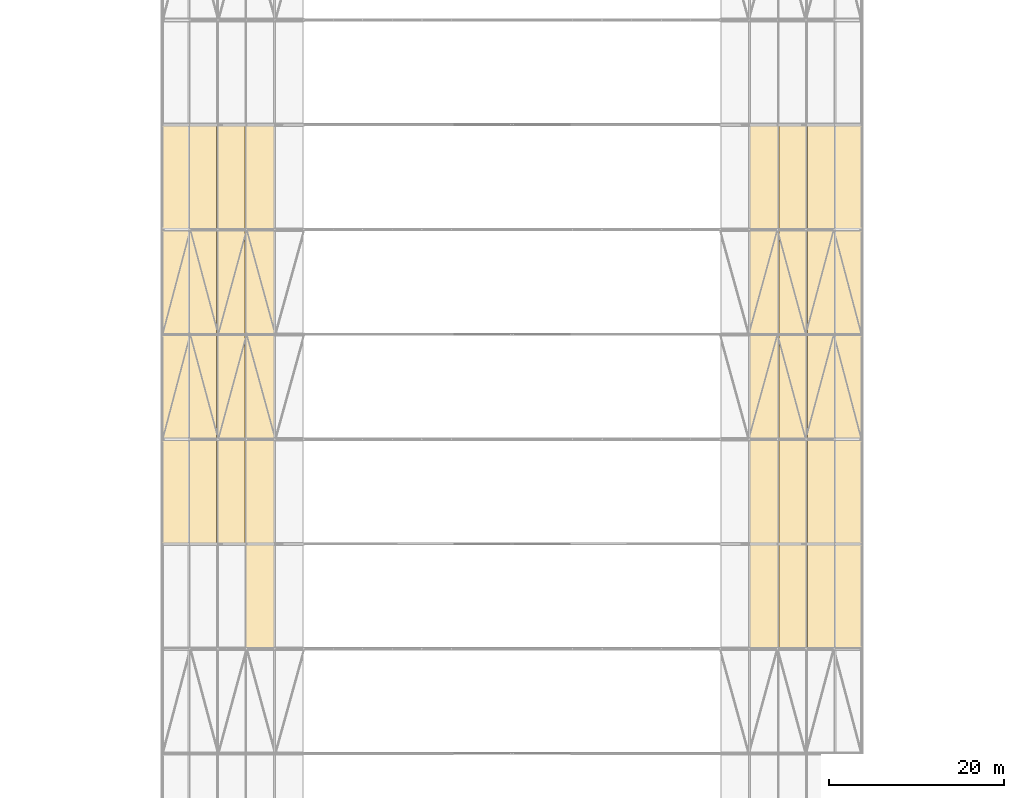
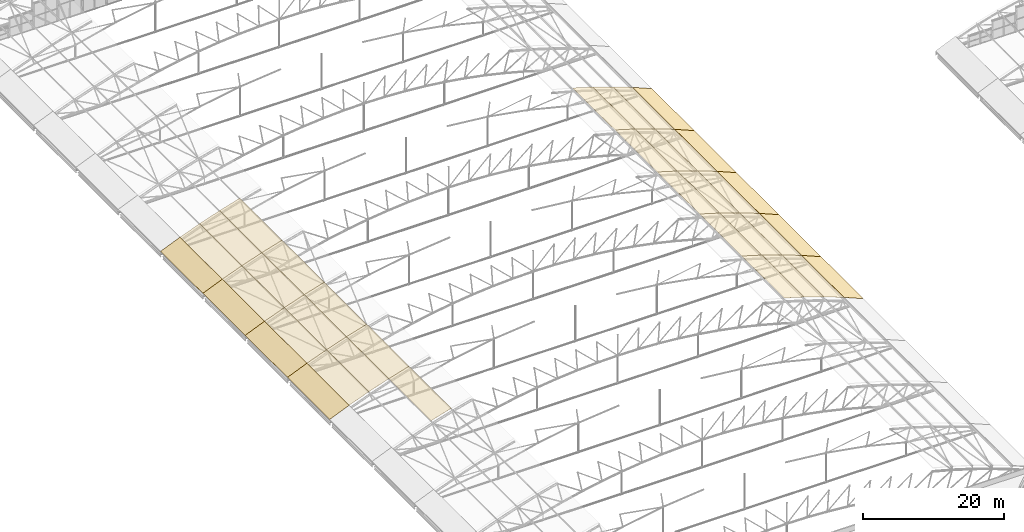
# One storey, part 316 of 321: 37 coverings.
"""IFC4 building model written with IfcOpenShell, lengths in metres."""

from ifc_helpers import new_model, si_unit, direction, frame, origin, place, context, subcontext, project, spatial, polyline, outline, extrude, material, layer, layer_set, type_object, element, save


model = new_model("IFC4")

# Units and contexts
model_context = context("Model", 3, precision=1e-05, world=origin(), true_north=direction((0.0, 1.0)))
body_context = subcontext(model_context, "Body", "Model", "MODEL_VIEW")
ifc_project = project(units=[si_unit("LENGTHUNIT", "METRE"), si_unit("AREAUNIT", "SQUARE_METRE"), si_unit("VOLUMEUNIT", "CUBIC_METRE"), si_unit("PLANEANGLEUNIT", "RADIAN"), si_unit("MASSUNIT", "GRAM", prefix="KILO")], contexts=[model_context])

# Site, building, storey
site_placement = place(None, origin())
site = spatial("IfcSite", under=ifc_project, at=site_placement, CompositionType="ELEMENT")
building_placement = place(site_placement, origin())
building = spatial("IfcBuilding", under=site, at=building_placement, Name="Ravi Spectrum Wholesale Market", CompositionType="ELEMENT")
storey_placement = place(building_placement, frame((0.0, 0.0, 10.800048828125)))
storey = spatial("IfcBuildingStorey", under=building, at=storey_placement, Name="L02", CompositionType="ELEMENT", Elevation=10.800048828125)

# Coverings
ifc_material = material(Name="Roofing membrane")
ifc_layer = layer(ifc_material, 0.008056640625)
ifc_layer_set = layer_set([ifc_layer], Name="Roofing membrane")
covering_type = type_object("IfcCoveringType", Name="Roofing membrane 8", PredefinedType="ROOFING", material=ifc_layer_set)
for number, where, z_axis, x_axis, name in (
    (1, (39.437744140625, 78.0, 4.21826171875), (-0.289069508048, 0.0, 0.957308111068), (0.957308111068, 0.0, 0.289069508048), "H1-CV-L02-036"),
    (2, (97.2626953125, 78.0, 5.214599609375), (0.289069508048, 0.0, 0.957308111068), (0.957308111068, 0.0, -0.289069508048), "H1-CV-L02-037"),
):
    element("IfcCovering", number, at=place(storey_placement, frame(where, z_axis=z_axis, x_axis=x_axis)), inside=storey, type_object=covering_type, Name=name, PredefinedType="ROOFING", context=body_context, shape_type="SweptSolid", body=[
        extrude(outline(polyline([(0.0, 0.0), (3.4467069783764797, 0.0), (3.4467069783764797, 12.0), (0.0, 12.0), (0.0, 0.0)])), origin(), (0.0, 0.0, -1.0), 0.008056640625),
    ])
covering_1_placement = place(storey_placement, frame((100.56640625, 78.0, 4.217041015625), z_axis=(0.321874795259, 0.0, 0.946782243273), x_axis=(0.946782243273, 0.0, -0.321874795259)))
element("IfcCovering", 3, at=covering_1_placement, inside=storey, type_object=covering_type, Name="H1-CV-L02-038", PredefinedType="ROOFING", context=body_context, shape_type="SweptSolid", body=[
    extrude(outline(polyline([(0.0, 0.0), (3.4466041340925955, 0.0), (3.4466041340925955, 12.000000000000004), (0.0, 12.000000000000004), (0.0, 0.0)])), origin(), (0.0, 0.0, -1.0), 0.008056640625),
])
covering_2_placement = place(storey_placement, frame((103.833740234375, 78.0, 3.10595703125), z_axis=(0.354304022931, 0.0, 0.935130290032), x_axis=(0.935130290032, 0.0, -0.354304022931)))
element("IfcCovering", 4, at=covering_2_placement, inside=storey, type_object=covering_type, Name="H1-CV-L02-039", PredefinedType="ROOFING", context=body_context, shape_type="SweptSolid", body=[
    extrude(outline(polyline([(0.0, 0.0), (3.446733108325278, 0.0), (3.446733108325278, 12.0), (0.0, 12.0), (0.0, 0.0)])), origin(), (0.0, 0.0, -1.0), 0.008056640625),
])
for number, where, z_axis, x_axis, name in (
    (5, (107.060791015625, 78.0, 1.883056640625), (0.386400188162, 0.0, 0.922331228241), (0.922331228241, 0.0, -0.386400188162), "H1-CV-L02-040"),
    (6, (29.76025390625, 90.0, 0.55126953125), (-0.386400188162, 0.0, 0.922331228241), (0.922331228241, 0.0, 0.386400188162), "H1-CV-L02-041"),
):
    element("IfcCovering", number, at=place(storey_placement, frame(where, z_axis=z_axis, x_axis=x_axis)), inside=storey, type_object=covering_type, Name=name, PredefinedType="ROOFING", context=body_context, shape_type="SweptSolid", body=[
        extrude(outline(polyline([(0.0, 0.0), (3.44665233138391, 0.0), (3.44665233138391, 12.0), (0.0, 12.0), (0.0, 0.0)])), origin(), (0.0, 0.0, -1.0), 0.008056640625),
    ])
covering_3_placement = place(storey_placement, frame((32.943115234375, 90.0, 1.884765625), z_axis=(-0.354304022931, 0.0, 0.935130290032), x_axis=(0.935130290032, 0.0, 0.354304022931)))
element("IfcCovering", 7, at=covering_3_placement, inside=storey, type_object=covering_type, Name="H1-CV-L02-042", PredefinedType="ROOFING", context=body_context, shape_type="SweptSolid", body=[
    extrude(outline(polyline([(0.0, 0.0), (3.446733108325278, 0.0), (3.446733108325278, 12.0), (0.0, 12.0), (0.0, 0.0)])), origin(), (0.0, 0.0, -1.0), 0.008056640625),
])
covering_4_placement = place(storey_placement, frame((36.17041015625, 90.0, 3.107666015625), z_axis=(-0.321874795259, 0.0, 0.946782243273), x_axis=(0.946782243273, 0.0, 0.321874795259)))
element("IfcCovering", 8, at=covering_4_placement, inside=storey, type_object=covering_type, Name="H1-CV-L02-043", PredefinedType="ROOFING", context=body_context, shape_type="SweptSolid", body=[
    extrude(outline(polyline([(0.0, 0.0), (3.4466041340925955, 0.0), (3.4466041340925955, 12.000000000000004), (0.0, 12.000000000000004), (0.0, 0.0)])), origin(), (0.0, 0.0, -1.0), 0.008056640625),
])
for number, where, z_axis, x_axis, name in (
    (9, (39.437744140625, 90.0, 4.21826171875), (-0.289069508048, 0.0, 0.957308111068), (0.957308111068, 0.0, 0.289069508048), "H1-CV-L02-044"),
    (10, (97.2626953125, 90.0, 5.214599609375), (0.289069508048, 0.0, 0.957308111068), (0.957308111068, 0.0, -0.289069508048), "H1-CV-L02-045"),
):
    element("IfcCovering", number, at=place(storey_placement, frame(where, z_axis=z_axis, x_axis=x_axis)), inside=storey, type_object=covering_type, Name=name, PredefinedType="ROOFING", context=body_context, shape_type="SweptSolid", body=[
        extrude(outline(polyline([(0.0, 0.0), (3.4467069783764797, 0.0), (3.4467069783764797, 12.0), (0.0, 12.0), (0.0, 0.0)])), origin(), (0.0, 0.0, -1.0), 0.008056640625),
    ])
covering_5_placement = place(storey_placement, frame((100.56640625, 90.0, 4.217041015625), z_axis=(0.321874795259, 0.0, 0.946782243273), x_axis=(0.946782243273, 0.0, -0.321874795259)))
element("IfcCovering", 11, at=covering_5_placement, inside=storey, type_object=covering_type, Name="H1-CV-L02-046", PredefinedType="ROOFING", context=body_context, shape_type="SweptSolid", body=[
    extrude(outline(polyline([(0.0, 0.0), (3.4466041340925955, 0.0), (3.4466041340925955, 12.000000000000004), (0.0, 12.000000000000004), (0.0, 0.0)])), origin(), (0.0, 0.0, -1.0), 0.008056640625),
])
covering_6_placement = place(storey_placement, frame((103.833740234375, 90.0, 3.10595703125), z_axis=(0.354304022931, 0.0, 0.935130290032), x_axis=(0.935130290032, 0.0, -0.354304022931)))
element("IfcCovering", 12, at=covering_6_placement, inside=storey, type_object=covering_type, Name="H1-CV-L02-047", PredefinedType="ROOFING", context=body_context, shape_type="SweptSolid", body=[
    extrude(outline(polyline([(0.0, 0.0), (3.446733108325278, 0.0), (3.446733108325278, 12.0), (0.0, 12.0), (0.0, 0.0)])), origin(), (0.0, 0.0, -1.0), 0.008056640625),
])
for number, where, z_axis, x_axis, name in (
    (13, (107.060791015625, 90.0, 1.883056640625), (0.386400188162, 0.0, 0.922331228241), (0.922331228241, 0.0, -0.386400188162), "H1-CV-L02-048"),
    (14, (29.76025390625, 102.0, 0.55126953125), (-0.386400188162, 0.0, 0.922331228241), (0.922331228241, 0.0, 0.386400188162), "H1-CV-L02-049"),
):
    element("IfcCovering", number, at=place(storey_placement, frame(where, z_axis=z_axis, x_axis=x_axis)), inside=storey, type_object=covering_type, Name=name, PredefinedType="ROOFING", context=body_context, shape_type="SweptSolid", body=[
        extrude(outline(polyline([(0.0, 0.0), (3.44665233138391, 0.0), (3.44665233138391, 12.0), (0.0, 12.0), (0.0, 0.0)])), origin(), (0.0, 0.0, -1.0), 0.008056640625),
    ])
covering_7_placement = place(storey_placement, frame((32.943115234375, 102.0, 1.884765625), z_axis=(-0.354304022931, 0.0, 0.935130290032), x_axis=(0.935130290032, 0.0, 0.354304022931)))
element("IfcCovering", 15, at=covering_7_placement, inside=storey, type_object=covering_type, Name="H1-CV-L02-050", PredefinedType="ROOFING", context=body_context, shape_type="SweptSolid", body=[
    extrude(outline(polyline([(0.0, 0.0), (3.446733108325278, 0.0), (3.446733108325278, 12.0), (0.0, 12.0), (0.0, 0.0)])), origin(), (0.0, 0.0, -1.0), 0.008056640625),
])
covering_8_placement = place(storey_placement, frame((36.17041015625, 102.0, 3.107666015625), z_axis=(-0.321874795259, 0.0, 0.946782243273), x_axis=(0.946782243273, 0.0, 0.321874795259)))
element("IfcCovering", 16, at=covering_8_placement, inside=storey, type_object=covering_type, Name="H1-CV-L02-051", PredefinedType="ROOFING", context=body_context, shape_type="SweptSolid", body=[
    extrude(outline(polyline([(0.0, 0.0), (3.4466041340925955, 0.0), (3.4466041340925955, 12.000000000000004), (0.0, 12.000000000000004), (0.0, 0.0)])), origin(), (0.0, 0.0, -1.0), 0.008056640625),
])
for number, where, z_axis, x_axis, name in (
    (17, (39.437744140625, 102.0, 4.21826171875), (-0.289069508048, 0.0, 0.957308111068), (0.957308111068, 0.0, 0.289069508048), "H1-CV-L02-052"),
    (18, (97.2626953125, 102.0, 5.214599609375), (0.289069508048, 0.0, 0.957308111068), (0.957308111068, 0.0, -0.289069508048), "H1-CV-L02-053"),
):
    element("IfcCovering", number, at=place(storey_placement, frame(where, z_axis=z_axis, x_axis=x_axis)), inside=storey, type_object=covering_type, Name=name, PredefinedType="ROOFING", context=body_context, shape_type="SweptSolid", body=[
        extrude(outline(polyline([(0.0, 0.0), (3.4467069783764797, 0.0), (3.4467069783764797, 12.0), (0.0, 12.0), (0.0, 0.0)])), origin(), (0.0, 0.0, -1.0), 0.008056640625),
    ])
covering_9_placement = place(storey_placement, frame((100.56640625, 102.0, 4.217041015625), z_axis=(0.321874795259, 0.0, 0.946782243273), x_axis=(0.946782243273, 0.0, -0.321874795259)))
element("IfcCovering", 19, at=covering_9_placement, inside=storey, type_object=covering_type, Name="H1-CV-L02-054", PredefinedType="ROOFING", context=body_context, shape_type="SweptSolid", body=[
    extrude(outline(polyline([(0.0, 0.0), (3.4466041340925955, 0.0), (3.4466041340925955, 12.000000000000004), (0.0, 12.000000000000004), (0.0, 0.0)])), origin(), (0.0, 0.0, -1.0), 0.008056640625),
])
covering_10_placement = place(storey_placement, frame((103.833740234375, 102.0, 3.10595703125), z_axis=(0.354304022931, 0.0, 0.935130290032), x_axis=(0.935130290032, 0.0, -0.354304022931)))
element("IfcCovering", 20, at=covering_10_placement, inside=storey, type_object=covering_type, Name="H1-CV-L02-055", PredefinedType="ROOFING", context=body_context, shape_type="SweptSolid", body=[
    extrude(outline(polyline([(0.0, 0.0), (3.446733108325278, 0.0), (3.446733108325278, 12.0), (0.0, 12.0), (0.0, 0.0)])), origin(), (0.0, 0.0, -1.0), 0.008056640625),
])
for number, where, z_axis, x_axis, name in (
    (21, (107.060791015625, 102.0, 1.883056640625), (0.386400188162, 0.0, 0.922331228241), (0.922331228241, 0.0, -0.386400188162), "H1-CV-L02-056"),
    (22, (29.76025390625, 114.0, 0.55126953125), (-0.386400188162, 0.0, 0.922331228241), (0.922331228241, 0.0, 0.386400188162), "H1-CV-L02-057"),
):
    element("IfcCovering", number, at=place(storey_placement, frame(where, z_axis=z_axis, x_axis=x_axis)), inside=storey, type_object=covering_type, Name=name, PredefinedType="ROOFING", context=body_context, shape_type="SweptSolid", body=[
        extrude(outline(polyline([(0.0, 0.0), (3.44665233138391, 0.0), (3.44665233138391, 12.0), (0.0, 12.0), (0.0, 0.0)])), origin(), (0.0, 0.0, -1.0), 0.008056640625),
    ])
covering_11_placement = place(storey_placement, frame((32.943115234375, 114.0, 1.884765625), z_axis=(-0.354304022931, 0.0, 0.935130290032), x_axis=(0.935130290032, 0.0, 0.354304022931)))
element("IfcCovering", 23, at=covering_11_placement, inside=storey, type_object=covering_type, Name="H1-CV-L02-058", PredefinedType="ROOFING", context=body_context, shape_type="SweptSolid", body=[
    extrude(outline(polyline([(0.0, 0.0), (3.446733108325278, 0.0), (3.446733108325278, 12.0), (0.0, 12.0), (0.0, 0.0)])), origin(), (0.0, 0.0, -1.0), 0.008056640625),
])
covering_12_placement = place(storey_placement, frame((36.17041015625, 114.0, 3.107666015625), z_axis=(-0.321874795259, 0.0, 0.946782243273), x_axis=(0.946782243273, 0.0, 0.321874795259)))
element("IfcCovering", 24, at=covering_12_placement, inside=storey, type_object=covering_type, Name="H1-CV-L02-059", PredefinedType="ROOFING", context=body_context, shape_type="SweptSolid", body=[
    extrude(outline(polyline([(0.0, 0.0), (3.4466041340925955, 0.0), (3.4466041340925955, 12.000000000000004), (0.0, 12.000000000000004), (0.0, 0.0)])), origin(), (0.0, 0.0, -1.0), 0.008056640625),
])
for number, where, z_axis, x_axis, name in (
    (25, (39.437744140625, 114.0, 4.21826171875), (-0.289069508048, 0.0, 0.957308111068), (0.957308111068, 0.0, 0.289069508048), "H1-CV-L02-060"),
    (26, (97.2626953125, 114.0, 5.214599609375), (0.289069508048, 0.0, 0.957308111068), (0.957308111068, 0.0, -0.289069508048), "H1-CV-L02-061"),
):
    element("IfcCovering", number, at=place(storey_placement, frame(where, z_axis=z_axis, x_axis=x_axis)), inside=storey, type_object=covering_type, Name=name, PredefinedType="ROOFING", context=body_context, shape_type="SweptSolid", body=[
        extrude(outline(polyline([(0.0, 0.0), (3.4467069783764797, 0.0), (3.4467069783764797, 12.0), (0.0, 12.0), (0.0, 0.0)])), origin(), (0.0, 0.0, -1.0), 0.008056640625),
    ])
covering_13_placement = place(storey_placement, frame((100.56640625, 114.0, 4.217041015625), z_axis=(0.321874795259, 0.0, 0.946782243273), x_axis=(0.946782243273, 0.0, -0.321874795259)))
element("IfcCovering", 27, at=covering_13_placement, inside=storey, type_object=covering_type, Name="H1-CV-L02-062", PredefinedType="ROOFING", context=body_context, shape_type="SweptSolid", body=[
    extrude(outline(polyline([(0.0, 0.0), (3.4466041340925955, 0.0), (3.4466041340925955, 12.000000000000004), (0.0, 12.000000000000004), (0.0, 0.0)])), origin(), (0.0, 0.0, -1.0), 0.008056640625),
])
covering_14_placement = place(storey_placement, frame((103.833740234375, 114.0, 3.10595703125), z_axis=(0.354304022931, 0.0, 0.935130290032), x_axis=(0.935130290032, 0.0, -0.354304022931)))
element("IfcCovering", 28, at=covering_14_placement, inside=storey, type_object=covering_type, Name="H1-CV-L02-063", PredefinedType="ROOFING", context=body_context, shape_type="SweptSolid", body=[
    extrude(outline(polyline([(0.0, 0.0), (3.446733108325278, 0.0), (3.446733108325278, 12.0), (0.0, 12.0), (0.0, 0.0)])), origin(), (0.0, 0.0, -1.0), 0.008056640625),
])
for number, where, z_axis, x_axis, name in (
    (29, (107.060791015625, 114.0, 1.883056640625), (0.386400188162, 0.0, 0.922331228241), (0.922331228241, 0.0, -0.386400188162), "H1-CV-L02-064"),
    (30, (29.76025390625, 126.0, 0.55126953125), (-0.386400188162, 0.0, 0.922331228241), (0.922331228241, 0.0, 0.386400188162), "H1-CV-L02-065"),
):
    element("IfcCovering", number, at=place(storey_placement, frame(where, z_axis=z_axis, x_axis=x_axis)), inside=storey, type_object=covering_type, Name=name, PredefinedType="ROOFING", context=body_context, shape_type="SweptSolid", body=[
        extrude(outline(polyline([(0.0, 0.0), (3.44665233138391, 0.0), (3.44665233138391, 12.0), (0.0, 12.0), (0.0, 0.0)])), origin(), (0.0, 0.0, -1.0), 0.008056640625),
    ])
covering_15_placement = place(storey_placement, frame((32.943115234375, 126.0, 1.884765625), z_axis=(-0.354304022931, 0.0, 0.935130290032), x_axis=(0.935130290032, 0.0, 0.354304022931)))
element("IfcCovering", 31, at=covering_15_placement, inside=storey, type_object=covering_type, Name="H1-CV-L02-066", PredefinedType="ROOFING", context=body_context, shape_type="SweptSolid", body=[
    extrude(outline(polyline([(0.0, 0.0), (3.446733108325278, 0.0), (3.446733108325278, 12.0), (0.0, 12.0), (0.0, 0.0)])), origin(), (0.0, 0.0, -1.0), 0.008056640625),
])
covering_16_placement = place(storey_placement, frame((36.17041015625, 126.0, 3.107666015625), z_axis=(-0.321874795259, 0.0, 0.946782243273), x_axis=(0.946782243273, 0.0, 0.321874795259)))
element("IfcCovering", 32, at=covering_16_placement, inside=storey, type_object=covering_type, Name="H1-CV-L02-067", PredefinedType="ROOFING", context=body_context, shape_type="SweptSolid", body=[
    extrude(outline(polyline([(0.0, 0.0), (3.4466041340925955, 0.0), (3.4466041340925955, 12.000000000000004), (0.0, 12.000000000000004), (0.0, 0.0)])), origin(), (0.0, 0.0, -1.0), 0.008056640625),
])
for number, where, z_axis, x_axis, name in (
    (33, (39.437744140625, 126.0, 4.21826171875), (-0.289069508048, 0.0, 0.957308111068), (0.957308111068, 0.0, 0.289069508048), "H1-CV-L02-068"),
    (34, (97.2626953125, 126.0, 5.214599609375), (0.289069508048, 0.0, 0.957308111068), (0.957308111068, 0.0, -0.289069508048), "H1-CV-L02-069"),
):
    element("IfcCovering", number, at=place(storey_placement, frame(where, z_axis=z_axis, x_axis=x_axis)), inside=storey, type_object=covering_type, Name=name, PredefinedType="ROOFING", context=body_context, shape_type="SweptSolid", body=[
        extrude(outline(polyline([(0.0, 0.0), (3.4467069783764797, 0.0), (3.4467069783764797, 12.0), (0.0, 12.0), (0.0, 0.0)])), origin(), (0.0, 0.0, -1.0), 0.008056640625),
    ])
covering_17_placement = place(storey_placement, frame((100.56640625, 126.0, 4.217041015625), z_axis=(0.321874795259, 0.0, 0.946782243273), x_axis=(0.946782243273, 0.0, -0.321874795259)))
element("IfcCovering", 35, at=covering_17_placement, inside=storey, type_object=covering_type, Name="H1-CV-L02-070", PredefinedType="ROOFING", context=body_context, shape_type="SweptSolid", body=[
    extrude(outline(polyline([(0.0, 0.0), (3.4466041340925955, 0.0), (3.4466041340925955, 12.000000000000004), (0.0, 12.000000000000004), (0.0, 0.0)])), origin(), (0.0, 0.0, -1.0), 0.008056640625),
])
covering_18_placement = place(storey_placement, frame((103.833740234375, 126.0, 3.10595703125), z_axis=(0.354304022931, 0.0, 0.935130290032), x_axis=(0.935130290032, 0.0, -0.354304022931)))
element("IfcCovering", 36, at=covering_18_placement, inside=storey, type_object=covering_type, Name="H1-CV-L02-071", PredefinedType="ROOFING", context=body_context, shape_type="SweptSolid", body=[
    extrude(outline(polyline([(0.0, 0.0), (3.446733108325278, 0.0), (3.446733108325278, 12.0), (0.0, 12.0), (0.0, 0.0)])), origin(), (0.0, 0.0, -1.0), 0.008056640625),
])
covering_19_placement = place(storey_placement, frame((107.060791015625, 126.0, 1.883056640625), z_axis=(0.386400188162, 0.0, 0.922331228241), x_axis=(0.922331228241, 0.0, -0.386400188162)))
element("IfcCovering", 37, at=covering_19_placement, inside=storey, type_object=covering_type, Name="H1-CV-L02-072", PredefinedType="ROOFING", context=body_context, shape_type="SweptSolid", body=[
    extrude(outline(polyline([(0.0, 0.0), (3.44665233138391, 0.0), (3.44665233138391, 12.0), (0.0, 12.0), (0.0, 0.0)])), origin(), (0.0, 0.0, -1.0), 0.008056640625),
])

save(model, "model.ifc")
